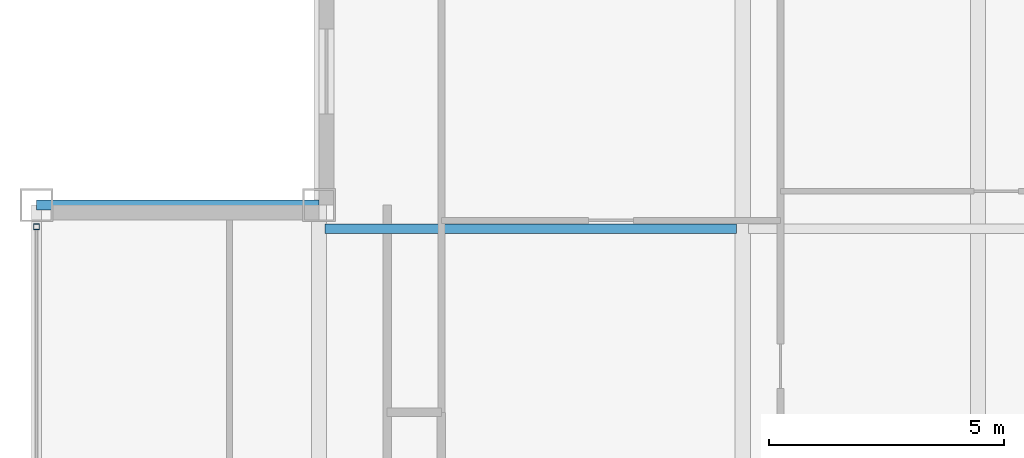
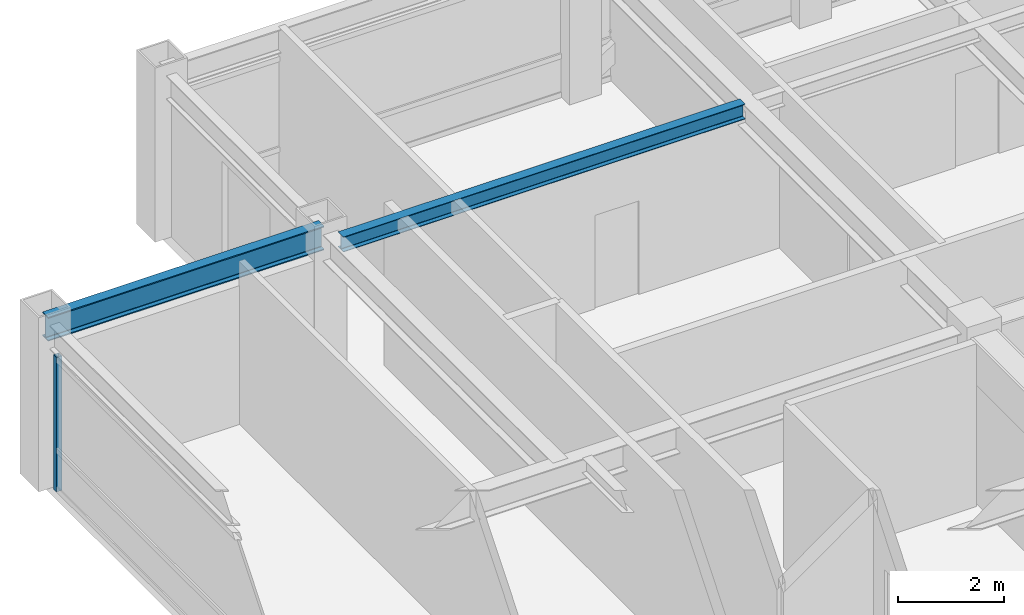
# One storey, part 14 of 29: 2 beams, 1 member, 1 element without a shape of its own.
"""IFC4 building model written with IfcOpenShell, lengths in metres."""

from ifc_helpers import new_model, si_unit, direction, frame, origin, origin_2d, place, context, subcontext, project, spatial, hollow_rectangle, i_section, extrude, source, transform, mapped, material, material_profile, profile_set, type_object, element, aggregate, save


model = new_model("IFC4")

# Units and contexts
model_context = context("Model", 3, precision=1e-05, world=origin(), true_north=direction((0.0, 1.0)))
body_context = subcontext(model_context, "Body", "Model", "MODEL_VIEW")
ifc_project = project(units=[si_unit("LENGTHUNIT", "METRE"), si_unit("AREAUNIT", "SQUARE_METRE"), si_unit("VOLUMEUNIT", "CUBIC_METRE"), si_unit("PLANEANGLEUNIT", "RADIAN"), si_unit("MASSUNIT", "GRAM", prefix="KILO")], contexts=[model_context])

# Site, building, storey
site_placement = place(None, origin())
site = spatial("IfcSite", under=ifc_project, at=site_placement, CompositionType="ELEMENT")
building_placement = place(site_placement, origin())
building = spatial("IfcBuilding", under=site, at=building_placement, Name="Khorayat Bourse Tower", CompositionType="ELEMENT")
storey_placement = place(building_placement, frame((0.0, 0.0, 362.300048828125)))
storey = spatial("IfcBuildingStorey", under=building, at=storey_placement, Name="L86", CompositionType="ELEMENT", Elevation=362.300048828125)

# Beams
ifc_material_1 = material(Name="Steel ASTM A992 Grade 50", Category="steel")
ifc_material_profile_1 = material_profile(ifc_material_1, i_section(OverallWidth=0.214111328125, OverallDepth=0.549072265625, WebThickness=0.0146484375, FlangeThickness=0.023681640625, FilletRadius=0.013916015625, at=origin_2d()), Name="W530X138")
ifc_profile_set_1 = profile_set([ifc_material_profile_1], Name="Steel ASTM A992 Grade 50")
beam_type_1 = type_object("IfcBeamType", Name="BM-SPAN-530", PredefinedType="SPANDREL", material=ifc_profile_set_1)
shared_shape_1 = source(origin(), body_context, "Body", "SweptSolid", [
    extrude(i_section(OverallWidth=0.214111328125, OverallDepth=0.549072265625, WebThickness=0.0146484375, FlangeThickness=0.023681640625, FilletRadius=0.013916015625, at=origin_2d()), origin(), (0.0, 0.0, 1.0), 6.0),
])
beam_1_placement = place(storey_placement, frame((-26.0, 20.0, 3.46533203125), z_axis=(1.0, 0.0, 0.0), x_axis=(0.0, 1.0, 0.0)))
element("IfcBeam", 1, at=beam_1_placement, inside=storey, type_object=beam_type_1, Name="L86 BM-SPAN-530 BM-L86-SPN-047", PredefinedType="SPANDREL", context=body_context, shape_type="MappedRepresentation", body=[
    mapped(shared_shape_1, transform((0.0, 0.0, 0.0), scale=1.0)),
])
ifc_material_profile_2 = material_profile(ifc_material_1, i_section(OverallWidth=0.202880859375, OverallDepth=0.346923828125, WebThickness=0.0078125, FlangeThickness=0.013427734375, FilletRadius=0.010009765625, at=origin_2d()), Name="W360X64")
ifc_profile_set_2 = profile_set([ifc_material_profile_2], Name="Steel ASTM A992 Grade 50")
beam_type_2 = type_object("IfcBeamType", Name="BM-JOIST-360", PredefinedType="JOIST", material=ifc_profile_set_2)
shared_shape_2 = source(origin(), body_context, "Body", "SweptSolid", [
    extrude(i_section(OverallWidth=0.202880859375, OverallDepth=0.346923828125, WebThickness=0.0078125, FlangeThickness=0.013427734375, FilletRadius=0.010009765625, at=origin_2d()), origin(), (0.0, 0.0, 1.0), 8.740234375),
])
beam_2_placement = place(storey_placement, frame((-19.8701171875, 19.5, 3.56640625), z_axis=(1.0, 0.0, 0.0), x_axis=(0.0, 1.0, 0.0)))
element("IfcBeam", 2, at=beam_2_placement, inside=storey, type_object=beam_type_2, Name="L86 BM-JOIST-360 BM-L86-JSTX-083", PredefinedType="JOIST", context=body_context, shape_type="MappedRepresentation", body=[
    mapped(shared_shape_2, transform((0.0, 0.0, 0.0), scale=1.0)),
])

# Curtain wall, member
ifc_material_2 = material(Name="Aluminium EN AW-6063 T6", Category="aluminium")
curtain_wall_type = type_object("IfcCurtainWallType", Name="CW-SYS-04", PredefinedType="NOTDEFINED", material=ifc_material_2)
curtain_wall_placement = place(storey_placement, origin())
curtain_wall = element("IfcCurtainWall", 3, at=curtain_wall_placement, inside=storey, type_object=curtain_wall_type, Name="L86 Curtain Wall CW-L86-W1", PredefinedType="NOTDEFINED")
ifc_material_profile_3 = material_profile(ifc_material_2, hollow_rectangle(XDim=0.1201171875, YDim=0.1201171875, WallThickness=0.0048828125, at=origin_2d()), Name="ALU 120x120x5")
ifc_profile_set_3 = profile_set([ifc_material_profile_3], Name="Aluminium EN AW-6063 T6")
member_type = type_object("IfcMemberType", Name="CWM-VERT-120", PredefinedType="MULLION", material=ifc_profile_set_3)
shared_shape_3 = source(origin(), body_context, "Body", "SweptSolid", [
    extrude(hollow_rectangle(XDim=0.1201171875, YDim=0.1201171875, WallThickness=0.0048828125, at=origin_2d()), origin(), (0.0, 0.0, 1.0), 3.08984375),
])
member_placement = place(storey_placement, frame((-26.0, 19.5400390625, 0.0), z_axis=(0.0, 0.0, 1.0), x_axis=(-1.0, 0.0, 0.0)))
member = element("IfcMember", 4, at=member_placement, type_object=member_type, Name="CW-L86-W1 Vertical Mullion 3", PredefinedType="MULLION", context=body_context, shape_type="MappedRepresentation", body=[
    mapped(shared_shape_3, transform((0.0, 0.0, 0.0), scale=1.0)),
])
aggregate(curtain_wall, [member])

save(model, "model.ifc")
